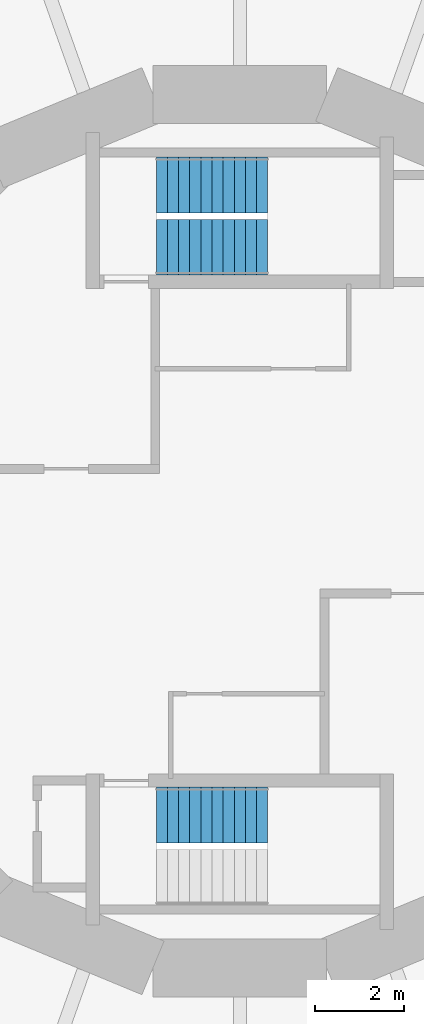
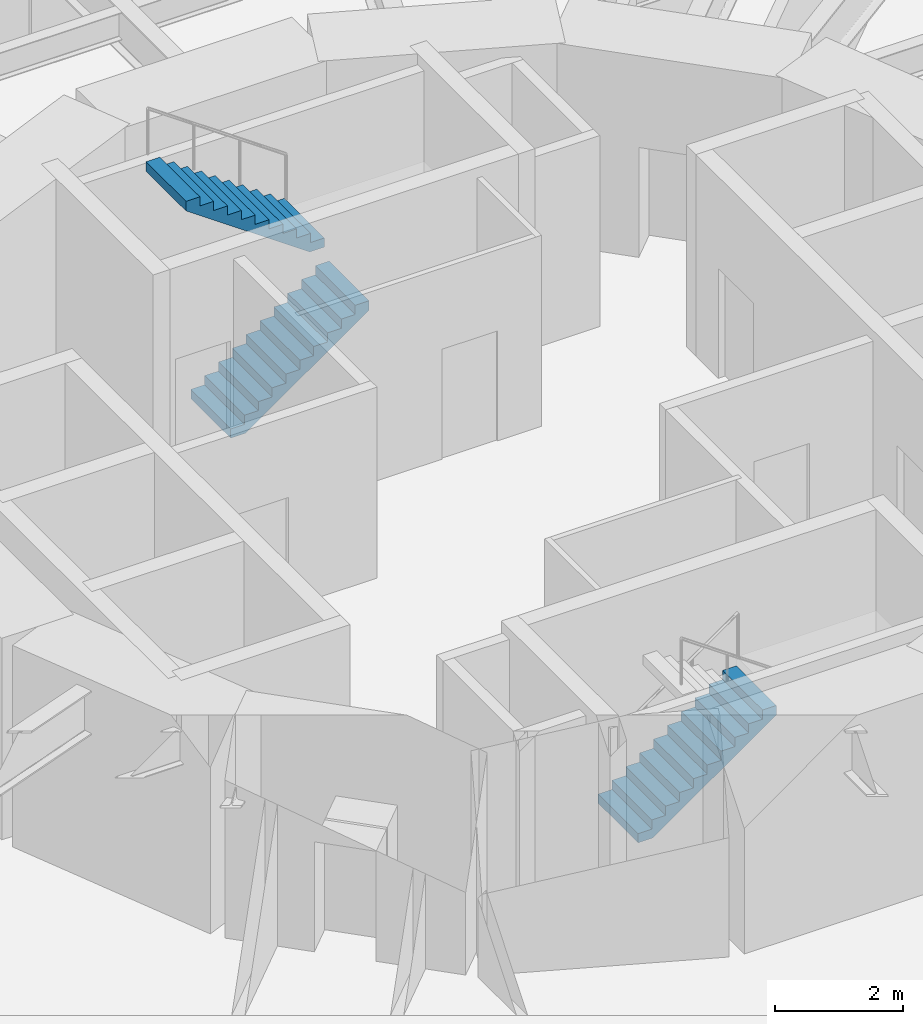
# One storey, part 12 of 13: 3 stair flights, 2 elements without a shape of their own.
"""IFC4 building model written with IfcOpenShell, lengths in metres."""

import ifcopenshell
import ifcopenshell.guid

model = None  # the IFC model being written
_history = None  # IfcOwnerHistory: only IFC2X3 demands one
_inside = {}  # id of a spatial element -> (the spatial element, [elements in it])
_under = {}  # id of a project, library or spatial element -> (it, [spatial elements below it])
_declared = {}  # id of a project -> (the project, [libraries it declares])
_typed = {}  # id of a type object -> (the type object, [elements of that type])
_made_of = {}  # id of a material, layer set ... -> (it, [elements and type objects made of it])


def new_model(schema):
    """Start an empty IFC model of exactly this schema.

    Asked for "IFC4X3", IfcOpenShell would pick the latest addendum, in which some entities
    have other attributes; the version numbers below select the first issue.
    IFC2X3 requires an IfcOwnerHistory on every rooted entity: one is made here for all.
    """
    global model, _history
    if schema == "IFC4X3":
        model = ifcopenshell.file(schema_version=(4, 3, 0, 0))
    else:
        model = ifcopenshell.file(schema=schema)
    _inside.clear()
    _under.clear()
    _declared.clear()
    _typed.clear()
    _made_of.clear()
    _history = None
    if model.schema == "IFC2X3":
        org = make("IfcOrganization", Name="unknown")
        user = make(
            "IfcPersonAndOrganization",
            ThePerson=make("IfcPerson", FamilyName="unknown"),
            TheOrganization=org,
        )
        app = make(
            "IfcApplication",
            ApplicationDeveloper=org,
            Version="unknown",
            ApplicationFullName="unknown",
            ApplicationIdentifier="unknown",
        )
        _history = make(
            "IfcOwnerHistory",
            OwningUser=user,
            OwningApplication=app,
            ChangeAction="ADDED",
            CreationDate=0,
        )
    return model


def make(cls, **values):
    """One entity of the class cls with the attributes given. An attribute that is None is left unset."""
    return model.create_entity(
        cls, **{name: value for name, value in values.items() if value is not None}
    )


def rooted(cls, **values):
    """An entity with a GlobalId (a new one), such as an element, a storey or a relation."""
    return make(cls, GlobalId=ifcopenshell.guid.new(), OwnerHistory=_history, **values)


def si_unit(unit_type, name, prefix=None):
    """IfcSIUnit, for example si_unit("LENGTHUNIT", "METRE", prefix="MILLI")."""
    return make("IfcSIUnit", UnitType=unit_type, Prefix=prefix, Name=name)


def assignment(units):
    """IfcUnitAssignment: the units of a project."""
    return None if units is None else make("IfcUnitAssignment", Units=units)


def point(xyz):
    """IfcCartesianPoint."""
    return None if xyz is None else make("IfcCartesianPoint", Coordinates=xyz)


def direction(xyz):
    """IfcDirection."""
    return None if xyz is None else make("IfcDirection", DirectionRatios=xyz)


def frame(location, z_axis=None, x_axis=None):
    """IfcAxis2Placement3D, a coordinate frame: its origin and axes. An axis left out is left unset."""
    return make(
        "IfcAxis2Placement3D",
        Location=point(location),
        Axis=direction(z_axis),
        RefDirection=direction(x_axis),
    )


def origin():
    """The frame at (0, 0, 0) with its axes left unset."""
    return frame((0.0, 0.0, 0.0))


def place(relative_to, where):
    """IfcLocalPlacement: puts the frame where relative to a parent placement (None: the world)."""
    return make(
        "IfcLocalPlacement", PlacementRelTo=relative_to, RelativePlacement=where
    )


def context(
    kind, dimensions, precision=None, world=None, true_north=None, identifier=None
):
    """IfcGeometricRepresentationContext, for example the 3D "Model" context."""
    return make(
        "IfcGeometricRepresentationContext",
        ContextIdentifier=identifier,
        ContextType=kind,
        CoordinateSpaceDimension=dimensions,
        Precision=precision,
        WorldCoordinateSystem=world,
        TrueNorth=true_north,
    )


def subcontext(parent, identifier, kind, view, scale=None):
    """IfcGeometricRepresentationSubContext, for example "Body" below "Model"."""
    return make(
        "IfcGeometricRepresentationSubContext",
        ContextIdentifier=identifier,
        ContextType=kind,
        ParentContext=parent,
        TargetScale=scale,
        TargetView=view,
    )


def project(units=None, contexts=None):
    """IfcProject with its units and contexts."""
    return rooted(
        "IfcProject",
        Name="project",
        RepresentationContexts=contexts,
        UnitsInContext=assignment(units),
    )


def spatial(cls, under=None, at=None, **own):
    """A site, building, storey or space (cls), placed at a placement, below another one or the project."""
    s = rooted(cls, ObjectPlacement=at, **own)
    if under is not None:
        _under.setdefault(under.id(), (under, []))[1].append(s)
    return s


def polyline(points):
    """IfcPolyline through the points."""
    return make("IfcPolyline", Points=[point(p) for p in points])


def outline(outer, holes=None, kind="AREA"):
    """IfcArbitraryClosedProfileDef: a profile drawn as a closed curve; with holes, ...WithVoids."""
    if holes is None:
        return make("IfcArbitraryClosedProfileDef", ProfileType=kind, OuterCurve=outer)
    return make(
        "IfcArbitraryProfileDefWithVoids",
        ProfileType=kind,
        OuterCurve=outer,
        InnerCurves=holes,
    )


def extrude(swept, where, along, depth):
    """IfcExtrudedAreaSolid: the profile swept, set in the frame where, extruded along a direction by depth."""
    return make(
        "IfcExtrudedAreaSolid",
        SweptArea=swept,
        Position=where,
        ExtrudedDirection=direction(along),
        Depth=depth,
    )


def shape(context_of_items, identifier, shape_type, items):
    """IfcShapeRepresentation: the items that make up one representation, for example the "Body"."""
    return make(
        "IfcShapeRepresentation",
        ContextOfItems=context_of_items,
        RepresentationIdentifier=identifier,
        RepresentationType=shape_type,
        Items=items,
    )


def material(Name=None, Category=None):
    """IfcMaterial."""
    return make("IfcMaterial", Name=Name, Category=Category)


def made_of(thing, what):
    """Note that an element or type object is made of a material, layer set ...; save() writes the relation."""
    if what is not None:
        _made_of.setdefault(what.id(), (what, []))[1].append(thing)
    return thing


def type_object(cls, material=None, **own):
    """A type object (cls), such as IfcWallType, which elements share."""
    return made_of(rooted(cls, **own), material)


def element(
    cls,
    number,
    at=None,
    inside=None,
    cuts=None,
    type_object=None,
    material=None,
    context=None,
    identifier="Body",
    shape_type=None,
    held_by="IfcProductDefinitionShape",
    body=None,
    shapes=None,
    **own,
):
    """One element of the class cls, such as IfcWall. Its Tag is "e" and its number.

    at: its placement. inside: the storey or other place that contains it. cuts: it is an
    opening in that element (IfcRelVoidsElement). A single representation is given by context,
    identifier, shape_type and body (its items); several are given by shapes. held_by: the class
    of the entity that holds the representations. save() writes the other relations.
    """
    e = rooted(cls, Tag="e%d" % number, ObjectPlacement=at, **own)
    if body is not None:
        shapes = [shape(context, identifier, shape_type, body)]
    if shapes is not None:
        e.Representation = make(held_by, Representations=shapes)
    if inside is not None:
        _inside.setdefault(inside.id(), (inside, []))[1].append(e)
    if cuts is not None:
        rooted(
            "IfcRelVoidsElement", RelatingBuildingElement=cuts, RelatedOpeningElement=e
        )
    if type_object is not None:
        _typed.setdefault(type_object.id(), (type_object, []))[1].append(e)
    return made_of(e, material)


def aggregate(whole, parts):
    """IfcRelAggregates: a whole, such as a stair, and the parts it consists of."""
    return rooted("IfcRelAggregates", RelatingObject=whole, RelatedObjects=parts)


def save(model, path):
    """Write the relations noted so far, then the file.

    IfcRelAggregates (storeys below a building ...), IfcRelContainedInSpatialStructure (elements
    in a storey), IfcRelDefinesByType, IfcRelAssociatesMaterial and IfcRelDeclares: one each for
    every whole, place, type object, material and project.
    """
    for whole, parts in _under.values():
        aggregate(whole, parts)
    for where, things in _inside.values():
        rooted(
            "IfcRelContainedInSpatialStructure",
            RelatedElements=things,
            RelatingStructure=where,
        )
    for kind, things in _typed.values():
        rooted("IfcRelDefinesByType", RelatedObjects=things, RelatingType=kind)
    for what, things in _made_of.values():
        rooted("IfcRelAssociatesMaterial", RelatedObjects=things, RelatingMaterial=what)
    for by, libraries in _declared.values():
        rooted("IfcRelDeclares", RelatingContext=by, RelatedDefinitions=libraries)
    model.write(path)


model = new_model("IFC4")

# Units and contexts
model_context = context("Model", 3, precision=1e-05, world=origin(), true_north=direction((0.0, 1.0)))
body_context = subcontext(model_context, "Body", "Model", "MODEL_VIEW")
ifc_project = project(units=[si_unit("LENGTHUNIT", "METRE"), si_unit("AREAUNIT", "SQUARE_METRE"), si_unit("VOLUMEUNIT", "CUBIC_METRE"), si_unit("PLANEANGLEUNIT", "RADIAN"), si_unit("MASSUNIT", "GRAM", prefix="KILO")], contexts=[model_context])

# Site, building, storey
site_placement = place(None, origin())
site = spatial("IfcSite", under=ifc_project, at=site_placement, CompositionType="ELEMENT")
building_placement = place(site_placement, origin())
building = spatial("IfcBuilding", under=site, at=building_placement, Name="Nakasero Lantern House", CompositionType="ELEMENT")
storey_placement = place(building_placement, frame((0.0, 0.0, 16.0)))
storey = spatial("IfcBuildingStorey", under=building, at=storey_placement, Name="L03", CompositionType="ELEMENT", Elevation=16.0)

# Stair, stair flights
ifc_material_1 = material(Name="Concrete C40/50", Category="concrete")
stair_type_1 = type_object("IfcStairType", Name="Escape stair ST1 22 risers", PredefinedType="HALF_TURN_STAIR", material=ifc_material_1)
stair_1_placement = place(storey_placement, origin())
stair_1 = element("IfcStair", 1, at=stair_1_placement, inside=storey, type_object=stair_type_1, Name="Escape stair ST1 L03", PredefinedType="HALF_TURN_STAIR")
ifc_material_2 = material(Name="Concrete C40/50", Category="concrete")
stair_flight_type = type_object("IfcStairFlightType", Name="Escape stair flight", PredefinedType="STRAIGHT", material=ifc_material_2)
stair_flight_1_placement = place(storey_placement, frame((-1.875, 6.375, 0.0), z_axis=(0.0, 0.0, 1.0), x_axis=(1.0, 0.0, 0.0)))
stair_flight_1 = element("IfcStairFlight", 2, at=stair_flight_1_placement, type_object=stair_flight_type, Name="ST1 flight 1", NumberOfRisers=11, NumberOfTreads=10, PredefinedType="STRAIGHT", RiserHeight=0.175, TreadLength=0.25, context=body_context, shape_type="SweptSolid", body=[
    extrude(outline(polyline([(0.0, 0.0), (0.0, 0.175048828125), (0.25, 0.175048828125), (0.25, 0.35009765625), (0.5, 0.35009765625), (0.5, 0.52490234375), (0.75, 0.52490234375), (0.75, 0.699951171875), (1.0, 0.699951171875), (1.0, 0.875), (1.25, 0.875), (1.25, 1.050048828125), (1.5, 1.050048828125), (1.5, 1.22509765625), (1.75, 1.22509765625), (1.75, 1.39990234375), (2.0, 1.39990234375), (2.0, 1.574951171875), (2.25, 1.574951171875), (2.25, 1.75), (2.5, 1.75), (2.5, 1.925048828125), (2.5, 1.567138671875), (0.261474609375, 0.0), (0.0, 0.0)])), frame((0.0, 0.625, 0.0), z_axis=(0.0, -1.0, 0.0), x_axis=(1.0, 0.0, 0.0)), (0.0, 0.0, 1.0), 1.25),
])
stair_flight_2_placement = place(storey_placement, frame((0.625, 7.77490234375, 1.925048828125), z_axis=(0.0, 0.0, 1.0), x_axis=(-1.0, 0.0, 0.0)))
stair_flight_2 = element("IfcStairFlight", 3, at=stair_flight_2_placement, type_object=stair_flight_type, Name="ST1 flight 2", NumberOfRisers=11, NumberOfTreads=10, PredefinedType="STRAIGHT", RiserHeight=0.175, TreadLength=0.25, context=body_context, shape_type="SweptSolid", body=[
    extrude(outline(polyline([(0.0, 0.0), (0.0, 0.175048828125), (0.25, 0.175048828125), (0.25, 0.35009765625), (0.5, 0.35009765625), (0.5, 0.52490234375), (0.75, 0.52490234375), (0.75, 0.699951171875), (1.0, 0.699951171875), (1.0, 0.875), (1.25, 0.875), (1.25, 1.050048828125), (1.5, 1.050048828125), (1.5, 1.22509765625), (1.75, 1.22509765625), (1.75, 1.39990234375), (2.0, 1.39990234375), (2.0, 1.574951171875), (2.25, 1.574951171875), (2.25, 1.75), (2.5, 1.75), (2.5, 1.925048828125), (2.5, 1.567138671875), (0.261474609375, 0.0), (0.0, 0.0)])), frame((0.0, 0.625, 0.0), z_axis=(0.0, -1.0, 0.0), x_axis=(1.0, 0.0, 0.0)), (0.0, 0.0, 1.0), 1.25),
])
aggregate(stair_1, [stair_flight_1, stair_flight_2])

# Stair, stair flight
ifc_material_3 = material(Name="Concrete C40/50", Category="concrete")
stair_type_2 = type_object("IfcStairType", Name="Escape stair ST2 22 risers", PredefinedType="HALF_TURN_STAIR", material=ifc_material_3)
stair_2_placement = place(storey_placement, origin())
stair_2 = element("IfcStair", 4, at=stair_2_placement, inside=storey, type_object=stair_type_2, Name="Escape stair ST2 L03", PredefinedType="HALF_TURN_STAIR")
stair_flight_3_placement = place(storey_placement, frame((-1.875, -6.375, 0.0), z_axis=(0.0, 0.0, 1.0), x_axis=(1.0, 0.0, 0.0)))
stair_flight_3 = element("IfcStairFlight", 5, at=stair_flight_3_placement, type_object=stair_flight_type, Name="ST2 flight 1", NumberOfRisers=11, NumberOfTreads=10, PredefinedType="STRAIGHT", RiserHeight=0.175, TreadLength=0.25, context=body_context, shape_type="SweptSolid", body=[
    extrude(outline(polyline([(0.0, 0.0), (0.0, 0.175048828125), (0.25, 0.175048828125), (0.25, 0.35009765625), (0.5, 0.35009765625), (0.5, 0.52490234375), (0.75, 0.52490234375), (0.75, 0.699951171875), (1.0, 0.699951171875), (1.0, 0.875), (1.25, 0.875), (1.25, 1.050048828125), (1.5, 1.050048828125), (1.5, 1.22509765625), (1.75, 1.22509765625), (1.75, 1.39990234375), (2.0, 1.39990234375), (2.0, 1.574951171875), (2.25, 1.574951171875), (2.25, 1.75), (2.5, 1.75), (2.5, 1.925048828125), (2.5, 1.567138671875), (0.261474609375, 0.0), (0.0, 0.0)])), frame((0.0, 0.625, 0.0), z_axis=(0.0, -1.0, 0.0), x_axis=(1.0, 0.0, 0.0)), (0.0, 0.0, 1.0), 1.25),
])
aggregate(stair_2, [stair_flight_3])

save(model, "model.ifc")
